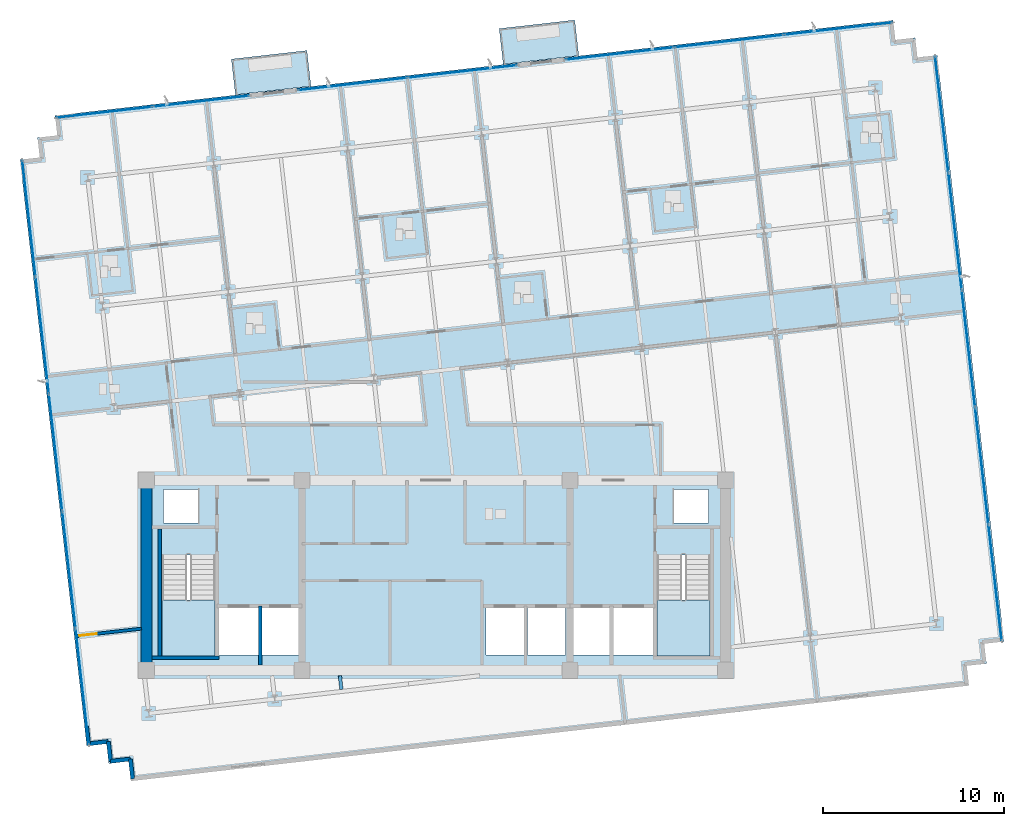
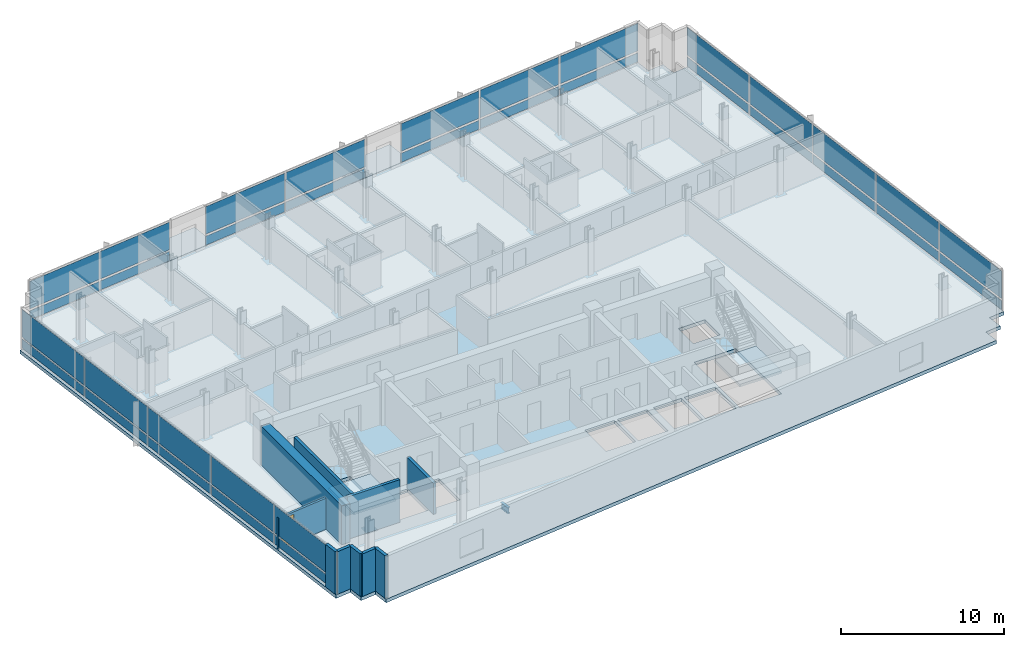
# One storey, part 7 of 17: 34 plates, 10 walls, 5 slabs, 1 beam, 1 door, 1 opening, 7 elements without a shape of their own.
"""IFC4 building model written with IfcOpenShell, lengths in metres."""

import ifcopenshell
import ifcopenshell.guid

model = None  # the IFC model being written
_history = None  # IfcOwnerHistory: only IFC2X3 demands one
_inside = {}  # id of a spatial element -> (the spatial element, [elements in it])
_under = {}  # id of a project, library or spatial element -> (it, [spatial elements below it])
_declared = {}  # id of a project -> (the project, [libraries it declares])
_typed = {}  # id of a type object -> (the type object, [elements of that type])
_made_of = {}  # id of a material, layer set ... -> (it, [elements and type objects made of it])


def new_model(schema):
    """Start an empty IFC model of exactly this schema.

    Asked for "IFC4X3", IfcOpenShell would pick the latest addendum, in which some entities
    have other attributes; the version numbers below select the first issue.
    IFC2X3 requires an IfcOwnerHistory on every rooted entity: one is made here for all.
    """
    global model, _history
    if schema == "IFC4X3":
        model = ifcopenshell.file(schema_version=(4, 3, 0, 0))
    else:
        model = ifcopenshell.file(schema=schema)
    _inside.clear()
    _under.clear()
    _declared.clear()
    _typed.clear()
    _made_of.clear()
    _history = None
    if model.schema == "IFC2X3":
        org = make("IfcOrganization", Name="unknown")
        user = make(
            "IfcPersonAndOrganization",
            ThePerson=make("IfcPerson", FamilyName="unknown"),
            TheOrganization=org,
        )
        app = make(
            "IfcApplication",
            ApplicationDeveloper=org,
            Version="unknown",
            ApplicationFullName="unknown",
            ApplicationIdentifier="unknown",
        )
        _history = make(
            "IfcOwnerHistory",
            OwningUser=user,
            OwningApplication=app,
            ChangeAction="ADDED",
            CreationDate=0,
        )
    return model


def make(cls, **values):
    """One entity of the class cls with the attributes given. An attribute that is None is left unset."""
    return model.create_entity(
        cls, **{name: value for name, value in values.items() if value is not None}
    )


def rooted(cls, **values):
    """An entity with a GlobalId (a new one), such as an element, a storey or a relation."""
    return make(cls, GlobalId=ifcopenshell.guid.new(), OwnerHistory=_history, **values)


def si_unit(unit_type, name, prefix=None):
    """IfcSIUnit, for example si_unit("LENGTHUNIT", "METRE", prefix="MILLI")."""
    return make("IfcSIUnit", UnitType=unit_type, Prefix=prefix, Name=name)


def assignment(units):
    """IfcUnitAssignment: the units of a project."""
    return None if units is None else make("IfcUnitAssignment", Units=units)


def point(xyz):
    """IfcCartesianPoint."""
    return None if xyz is None else make("IfcCartesianPoint", Coordinates=xyz)


def direction(xyz):
    """IfcDirection."""
    return None if xyz is None else make("IfcDirection", DirectionRatios=xyz)


def frame(location, z_axis=None, x_axis=None):
    """IfcAxis2Placement3D, a coordinate frame: its origin and axes. An axis left out is left unset."""
    return make(
        "IfcAxis2Placement3D",
        Location=point(location),
        Axis=direction(z_axis),
        RefDirection=direction(x_axis),
    )


def frame_2d(location, x_axis=None):
    """IfcAxis2Placement2D, a coordinate frame in the plane: its origin and x axis."""
    return make(
        "IfcAxis2Placement2D", Location=point(location), RefDirection=direction(x_axis)
    )


def origin():
    """The frame at (0, 0, 0) with its axes left unset."""
    return frame((0.0, 0.0, 0.0))


def origin_2d():
    """The frame at (0, 0) in the plane with its x axis left unset."""
    return frame_2d((0.0, 0.0))


def place(relative_to, where):
    """IfcLocalPlacement: puts the frame where relative to a parent placement (None: the world)."""
    return make(
        "IfcLocalPlacement", PlacementRelTo=relative_to, RelativePlacement=where
    )


def context(
    kind, dimensions, precision=None, world=None, true_north=None, identifier=None
):
    """IfcGeometricRepresentationContext, for example the 3D "Model" context."""
    return make(
        "IfcGeometricRepresentationContext",
        ContextIdentifier=identifier,
        ContextType=kind,
        CoordinateSpaceDimension=dimensions,
        Precision=precision,
        WorldCoordinateSystem=world,
        TrueNorth=true_north,
    )


def subcontext(parent, identifier, kind, view, scale=None):
    """IfcGeometricRepresentationSubContext, for example "Body" below "Model"."""
    return make(
        "IfcGeometricRepresentationSubContext",
        ContextIdentifier=identifier,
        ContextType=kind,
        ParentContext=parent,
        TargetScale=scale,
        TargetView=view,
    )


def project(units=None, contexts=None):
    """IfcProject with its units and contexts."""
    return rooted(
        "IfcProject",
        Name="project",
        RepresentationContexts=contexts,
        UnitsInContext=assignment(units),
    )


def spatial(cls, under=None, at=None, **own):
    """A site, building, storey or space (cls), placed at a placement, below another one or the project."""
    s = rooted(cls, ObjectPlacement=at, **own)
    if under is not None:
        _under.setdefault(under.id(), (under, []))[1].append(s)
    return s


def polyline(points):
    """IfcPolyline through the points."""
    return make("IfcPolyline", Points=[point(p) for p in points])


def profile(cls, at=None, kind="AREA", **sizes):
    """A parametric profile (cls). Its sizes go by their IFC names, for example OverallWidth=200.0."""
    return make(cls, ProfileType=kind, Position=at, **sizes)


def rectangle(**sizes):
    """IfcRectangleProfileDef."""
    return profile("IfcRectangleProfileDef", **sizes)


def i_section(**sizes):
    """IfcIShapeProfileDef."""
    return profile("IfcIShapeProfileDef", **sizes)


def outline(outer, holes=None, kind="AREA"):
    """IfcArbitraryClosedProfileDef: a profile drawn as a closed curve; with holes, ...WithVoids."""
    if holes is None:
        return make("IfcArbitraryClosedProfileDef", ProfileType=kind, OuterCurve=outer)
    return make(
        "IfcArbitraryProfileDefWithVoids",
        ProfileType=kind,
        OuterCurve=outer,
        InnerCurves=holes,
    )


def extrude(swept, where, along, depth):
    """IfcExtrudedAreaSolid: the profile swept, set in the frame where, extruded along a direction by depth."""
    return make(
        "IfcExtrudedAreaSolid",
        SweptArea=swept,
        Position=where,
        ExtrudedDirection=direction(along),
        Depth=depth,
    )


def shape(context_of_items, identifier, shape_type, items):
    """IfcShapeRepresentation: the items that make up one representation, for example the "Body"."""
    return make(
        "IfcShapeRepresentation",
        ContextOfItems=context_of_items,
        RepresentationIdentifier=identifier,
        RepresentationType=shape_type,
        Items=items,
    )


def material(Name=None, Category=None):
    """IfcMaterial."""
    return make("IfcMaterial", Name=Name, Category=Category)


def layer(
    of_material, thickness, ventilated=None, Name=None, Category=None, Priority=None
):
    """IfcMaterialLayer: one layer of a wall or slab, of a material (None: an air gap)."""
    return make(
        "IfcMaterialLayer",
        Material=of_material,
        LayerThickness=thickness,
        IsVentilated=ventilated,
        Name=Name,
        Category=Category,
        Priority=Priority,
    )


def layer_set(layers, Name=None):
    """IfcMaterialLayerSet."""
    return make("IfcMaterialLayerSet", MaterialLayers=layers, LayerSetName=Name)


def material_profile(
    of_material, cross_section, Name=None, Category=None, Priority=None
):
    """IfcMaterialProfile: a cross section and its material."""
    return make(
        "IfcMaterialProfile",
        Name=Name,
        Material=of_material,
        Profile=cross_section,
        Priority=Priority,
        Category=Category,
    )


def profile_set(profiles, Name=None, composite=None):
    """IfcMaterialProfileSet."""
    return make(
        "IfcMaterialProfileSet",
        Name=Name,
        MaterialProfiles=profiles,
        CompositeProfile=composite,
    )


def made_of(thing, what):
    """Note that an element or type object is made of a material, layer set ...; save() writes the relation."""
    if what is not None:
        _made_of.setdefault(what.id(), (what, []))[1].append(thing)
    return thing


def type_object(cls, material=None, **own):
    """A type object (cls), such as IfcWallType, which elements share."""
    return made_of(rooted(cls, **own), material)


def element(
    cls,
    number,
    at=None,
    inside=None,
    cuts=None,
    type_object=None,
    material=None,
    context=None,
    identifier="Body",
    shape_type=None,
    held_by="IfcProductDefinitionShape",
    body=None,
    shapes=None,
    **own,
):
    """One element of the class cls, such as IfcWall. Its Tag is "e" and its number.

    at: its placement. inside: the storey or other place that contains it. cuts: it is an
    opening in that element (IfcRelVoidsElement). A single representation is given by context,
    identifier, shape_type and body (its items); several are given by shapes. held_by: the class
    of the entity that holds the representations. save() writes the other relations.
    """
    e = rooted(cls, Tag="e%d" % number, ObjectPlacement=at, **own)
    if body is not None:
        shapes = [shape(context, identifier, shape_type, body)]
    if shapes is not None:
        e.Representation = make(held_by, Representations=shapes)
    if inside is not None:
        _inside.setdefault(inside.id(), (inside, []))[1].append(e)
    if cuts is not None:
        rooted(
            "IfcRelVoidsElement", RelatingBuildingElement=cuts, RelatedOpeningElement=e
        )
    if type_object is not None:
        _typed.setdefault(type_object.id(), (type_object, []))[1].append(e)
    return made_of(e, material)


def fill(opening, filler):
    """IfcRelFillsElement: the door or window that sits in an opening."""
    return rooted(
        "IfcRelFillsElement",
        RelatingOpeningElement=opening,
        RelatedBuildingElement=filler,
    )


def aggregate(whole, parts):
    """IfcRelAggregates: a whole, such as a stair, and the parts it consists of."""
    return rooted("IfcRelAggregates", RelatingObject=whole, RelatedObjects=parts)


def save(model, path):
    """Write the relations noted so far, then the file.

    IfcRelAggregates (storeys below a building ...), IfcRelContainedInSpatialStructure (elements
    in a storey), IfcRelDefinesByType, IfcRelAssociatesMaterial and IfcRelDeclares: one each for
    every whole, place, type object, material and project.
    """
    for whole, parts in _under.values():
        aggregate(whole, parts)
    for where, things in _inside.values():
        rooted(
            "IfcRelContainedInSpatialStructure",
            RelatedElements=things,
            RelatingStructure=where,
        )
    for kind, things in _typed.values():
        rooted("IfcRelDefinesByType", RelatedObjects=things, RelatingType=kind)
    for what, things in _made_of.values():
        rooted("IfcRelAssociatesMaterial", RelatedObjects=things, RelatingMaterial=what)
    for by, libraries in _declared.values():
        rooted("IfcRelDeclares", RelatingContext=by, RelatedDefinitions=libraries)
    model.write(path)


model = new_model("IFC4")

# Units and contexts
model_context = context("Model", 3, precision=1e-05, world=origin(), true_north=direction((0.0, 1.0)))
body_context = subcontext(model_context, "Body", "Model", "MODEL_VIEW")
ifc_project = project(units=[si_unit("LENGTHUNIT", "METRE"), si_unit("AREAUNIT", "SQUARE_METRE"), si_unit("VOLUMEUNIT", "CUBIC_METRE"), si_unit("PLANEANGLEUNIT", "RADIAN"), si_unit("MASSUNIT", "GRAM", prefix="KILO")], contexts=[model_context])

# Site, building, storey
site_placement = place(None, origin())
site = spatial("IfcSite", under=ifc_project, at=site_placement, CompositionType="ELEMENT")
building_placement = place(site_placement, origin())
building = spatial("IfcBuilding", under=site, at=building_placement, Name="Solmavex Isthmus Hotel", CompositionType="ELEMENT")
storey_placement = place(building_placement, frame((0.0, 0.0, 198.60009765625)))
storey = spatial("IfcBuildingStorey", under=building, at=storey_placement, Name="L53", CompositionType="ELEMENT", Elevation=198.60009765625)

# Beam
ifc_material_1 = material(Name="Steel ASTM A992 Grade 50", Category="steel")
ifc_material_profile = material_profile(ifc_material_1, i_section(OverallWidth=0.1904296875, OverallDepth=0.456787109375, WebThickness=0.009033203125, FlangeThickness=0.014404296875, FilletRadius=0.0126953125, at=origin_2d()), Name="W18X50")
ifc_profile_set = profile_set([ifc_material_profile], Name="Steel ASTM A992 Grade 50")
beam_type = type_object("IfcBeamType", Name="BM-BJ-W18X50", PredefinedType="JOIST", material=ifc_profile_set)
beam_placement = place(storey_placement, frame((-5.2236328125, -14.05419921875, -0.488525390625), z_axis=(-0.112902470797, 0.993606074905, 0.0), x_axis=(-0.993606074905, -0.112902470797, 0.0)))
element("IfcBeam", 1, at=beam_placement, inside=storey, type_object=beam_type, Name="Secondary Floor Joist L53-J05", PredefinedType="JOIST", context=body_context, shape_type="SweptSolid", body=[
    extrude(i_section(OverallWidth=0.1904296875, OverallDepth=0.456787109375, WebThickness=0.009033203125, FlangeThickness=0.014404296875, FilletRadius=0.0126953125, at=origin_2d()), origin(), (0.0, 0.0, 1.0), 0.759033203125),
])

# Curtain wall, plates
ifc_material_2 = material(Name="Aluminium alloy 6063-T6", Category="aluminium")
curtain_wall_type = type_object("IfcCurtainWallType", Name="CW-SYS-04", PredefinedType="NOTDEFINED", material=ifc_material_2)
curtain_wall_1_placement = place(storey_placement, origin())
curtain_wall_1 = element("IfcCurtainWall", 2, at=curtain_wall_1_placement, inside=storey, type_object=curtain_wall_type, Name="Stick Curtain Wall CWL-L53-N1", PredefinedType="NOTDEFINED")
ifc_material_3 = material(Name="Clear low-E laminated glass", Category="glass")
ifc_layer_1 = layer(ifc_material_3, 0.033935546875)
ifc_layer_set_1 = layer_set([ifc_layer_1], Name="Clear low-E laminated glass")
plate_type = type_object("IfcPlateType", Name="CW-SYS-04-PNL", PredefinedType="CURTAIN_PANEL", material=ifc_layer_set_1)
plate_1_placement = place(storey_placement, frame((-18.322021484375, 17.832763671875, 0.14990234375), z_axis=(0.0, 0.0, 1.0), x_axis=(0.993571901125, 0.113202814871, 0.0)))
plate_1 = element("IfcPlate", 3, at=plate_1_placement, type_object=plate_type, Name="CW-04 panel 1.1", PredefinedType="CURTAIN_PANEL", context=body_context, shape_type="SweptSolid", body=[
    extrude(rectangle(XDim=5.302978515625, YDim=0.033935546875, at=origin_2d()), origin(), (0.0, 0.0, 1.0), 0.675048828125),
])
plate_2_placement = place(storey_placement, frame((-18.322021484375, 17.832763671875, 0.974853515625), z_axis=(0.0, 0.0, 1.0), x_axis=(0.993571901125, 0.113202814871, 0.0)))
plate_2 = element("IfcPlate", 4, at=plate_2_placement, type_object=plate_type, Name="CW-04 panel 1.2", PredefinedType="CURTAIN_PANEL", context=body_context, shape_type="SweptSolid", body=[
    extrude(rectangle(XDim=5.302978515625, YDim=0.033935546875, at=origin_2d()), origin(), (0.0, 0.0, 1.0), 2.06494140625),
])
plate_3_placement = place(storey_placement, frame((-12.978515625, 18.441650390625, 0.14990234375), z_axis=(0.0, 0.0, 1.0), x_axis=(0.993571901125, 0.113202814871, 0.0)))
plate_3 = element("IfcPlate", 5, at=plate_3_placement, type_object=plate_type, Name="CW-04 panel 2.1", PredefinedType="CURTAIN_PANEL", context=body_context, shape_type="SweptSolid", body=[
    extrude(rectangle(XDim=5.302978515625, YDim=0.033935546875, at=origin_2d()), origin(), (0.0, 0.0, 1.0), 0.675048828125),
])
plate_4_placement = place(storey_placement, frame((-12.978515625, 18.441650390625, 0.974853515625), z_axis=(0.0, 0.0, 1.0), x_axis=(0.993571901125, 0.113202814871, 0.0)))
plate_4 = element("IfcPlate", 6, at=plate_4_placement, type_object=plate_type, Name="CW-04 panel 2.2", PredefinedType="CURTAIN_PANEL", context=body_context, shape_type="SweptSolid", body=[
    extrude(rectangle(XDim=5.302978515625, YDim=0.033935546875, at=origin_2d()), origin(), (0.0, 0.0, 1.0), 2.06494140625),
])
aggregate(curtain_wall_1, [plate_1, plate_2, plate_3, plate_4])

curtain_wall_2_placement = place(storey_placement, origin())
curtain_wall_2 = element("IfcCurtainWall", 7, at=curtain_wall_2_placement, inside=storey, type_object=curtain_wall_type, Name="Stick Curtain Wall CWL-L53-N2", PredefinedType="NOTDEFINED")
plate_5_placement = place(storey_placement, frame((-4.6142578125, 19.39453125, 0.14990234375), z_axis=(0.0, 0.0, 1.0), x_axis=(0.993571896348, 0.113202856801, 0.0)))
plate_5 = element("IfcPlate", 8, at=plate_5_placement, type_object=plate_type, Name="CW-04 panel 1.1", PredefinedType="CURTAIN_PANEL", context=body_context, shape_type="SweptSolid", body=[
    extrude(rectangle(XDim=6.033447265625, YDim=0.033935546875, at=origin_2d()), origin(), (0.0, 0.0, 1.0), 0.675048828125),
])
plate_6_placement = place(storey_placement, frame((-4.6142578125, 19.39453125, 0.974853515625), z_axis=(0.0, 0.0, 1.0), x_axis=(0.993571896348, 0.113202856801, 0.0)))
plate_6 = element("IfcPlate", 9, at=plate_6_placement, type_object=plate_type, Name="CW-04 panel 1.2", PredefinedType="CURTAIN_PANEL", context=body_context, shape_type="SweptSolid", body=[
    extrude(rectangle(XDim=6.033447265625, YDim=0.033935546875, at=origin_2d()), origin(), (0.0, 0.0, 1.0), 2.06494140625),
])
plate_7_placement = place(storey_placement, frame((1.454833984375, 20.086181640625, 0.14990234375), z_axis=(0.0, 0.0, 1.0), x_axis=(0.993571896348, 0.113202856801, 0.0)))
plate_7 = element("IfcPlate", 10, at=plate_7_placement, type_object=plate_type, Name="CW-04 panel 2.1", PredefinedType="CURTAIN_PANEL", context=body_context, shape_type="SweptSolid", body=[
    extrude(rectangle(XDim=6.033447265625, YDim=0.033935546875, at=origin_2d()), origin(), (0.0, 0.0, 1.0), 0.675048828125),
])
plate_8_placement = place(storey_placement, frame((1.454833984375, 20.086181640625, 0.974853515625), z_axis=(0.0, 0.0, 1.0), x_axis=(0.993571896348, 0.113202856801, 0.0)))
plate_8 = element("IfcPlate", 11, at=plate_8_placement, type_object=plate_type, Name="CW-04 panel 2.2", PredefinedType="CURTAIN_PANEL", context=body_context, shape_type="SweptSolid", body=[
    extrude(rectangle(XDim=6.033447265625, YDim=0.033935546875, at=origin_2d()), origin(), (0.0, 0.0, 1.0), 2.06494140625),
])
aggregate(curtain_wall_2, [plate_5, plate_6, plate_7, plate_8])

curtain_wall_3_placement = place(storey_placement, origin())
curtain_wall_3 = element("IfcCurtainWall", 12, at=curtain_wall_3_placement, inside=storey, type_object=curtain_wall_type, Name="Stick Curtain Wall CWL-L53-N3", PredefinedType="NOTDEFINED")
plate_9_placement = place(storey_placement, frame((10.1552734375, 21.077392578125, 0.14990234375), z_axis=(0.0, 0.0, 1.0), x_axis=(0.99357182379, 0.113203493636, 0.0)))
plate_9 = element("IfcPlate", 13, at=plate_9_placement, type_object=plate_type, Name="CW-04 panel 1.1", PredefinedType="CURTAIN_PANEL", context=body_context, shape_type="SweptSolid", body=[
    extrude(rectangle(XDim=5.979736328125, YDim=0.033935546875, at=origin_2d()), origin(), (0.0, 0.0, 1.0), 0.675048828125),
])
plate_10_placement = place(storey_placement, frame((10.1552734375, 21.077392578125, 0.974853515625), z_axis=(0.0, 0.0, 1.0), x_axis=(0.99357182379, 0.113203493636, 0.0)))
plate_10 = element("IfcPlate", 14, at=plate_10_placement, type_object=plate_type, Name="CW-04 panel 1.2", PredefinedType="CURTAIN_PANEL", context=body_context, shape_type="SweptSolid", body=[
    extrude(rectangle(XDim=5.979736328125, YDim=0.033935546875, at=origin_2d()), origin(), (0.0, 0.0, 1.0), 2.06494140625),
])
plate_11_placement = place(storey_placement, frame((16.189697265625, 21.764892578125, 0.14990234375), z_axis=(0.0, 0.0, 1.0), x_axis=(0.99357182379, 0.113203493636, 0.0)))
plate_11 = element("IfcPlate", 15, at=plate_11_placement, type_object=plate_type, Name="CW-04 panel 2.1", PredefinedType="CURTAIN_PANEL", context=body_context, shape_type="SweptSolid", body=[
    extrude(rectangle(XDim=6.017333984375, YDim=0.033935546875, at=origin_2d()), origin(), (0.0, 0.0, 1.0), 0.675048828125),
])
plate_12_placement = place(storey_placement, frame((16.189697265625, 21.764892578125, 0.974853515625), z_axis=(0.0, 0.0, 1.0), x_axis=(0.99357182379, 0.113203493636, 0.0)))
plate_12 = element("IfcPlate", 16, at=plate_12_placement, type_object=plate_type, Name="CW-04 panel 2.2", PredefinedType="CURTAIN_PANEL", context=body_context, shape_type="SweptSolid", body=[
    extrude(rectangle(XDim=6.017333984375, YDim=0.033935546875, at=origin_2d()), origin(), (0.0, 0.0, 1.0), 2.06494140625),
])
plate_13_placement = place(storey_placement, frame((22.224365234375, 22.45263671875, 0.14990234375), z_axis=(0.0, 0.0, 1.0), x_axis=(0.99357182379, 0.113203493636, 0.0)))
plate_13 = element("IfcPlate", 17, at=plate_13_placement, type_object=plate_type, Name="CW-04 panel 3.1", PredefinedType="CURTAIN_PANEL", context=body_context, shape_type="SweptSolid", body=[
    extrude(rectangle(XDim=5.979736328125, YDim=0.033935546875, at=origin_2d()), origin(), (0.0, 0.0, 1.0), 0.675048828125),
])
plate_14_placement = place(storey_placement, frame((22.224365234375, 22.45263671875, 0.974853515625), z_axis=(0.0, 0.0, 1.0), x_axis=(0.99357182379, 0.113203493636, 0.0)))
plate_14 = element("IfcPlate", 18, at=plate_14_placement, type_object=plate_type, Name="CW-04 panel 3.2", PredefinedType="CURTAIN_PANEL", context=body_context, shape_type="SweptSolid", body=[
    extrude(rectangle(XDim=5.979736328125, YDim=0.033935546875, at=origin_2d()), origin(), (0.0, 0.0, 1.0), 2.06494140625),
])
aggregate(curtain_wall_3, [plate_9, plate_10, plate_11, plate_12, plate_13, plate_14])

curtain_wall_4_placement = place(storey_placement, origin())
curtain_wall_4 = element("IfcCurtainWall", 19, at=curtain_wall_4_placement, inside=storey, type_object=curtain_wall_type, Name="Stick Curtain Wall CWL-L53-W1", PredefinedType="NOTDEFINED")
plate_15_placement = place(storey_placement, frame((-19.542724609375, -13.91064453125, 0.14990234375), z_axis=(0.0, 0.0, 1.0), x_axis=(-0.11320338078, 0.993571836648, 0.0)))
plate_15 = element("IfcPlate", 20, at=plate_15_placement, type_object=plate_type, Name="CW-04 panel 1.1", PredefinedType="CURTAIN_PANEL", context=body_context, shape_type="SweptSolid", body=[
    extrude(rectangle(XDim=6.407470703125, YDim=0.033935546875, at=origin_2d()), origin(), (0.0, 0.0, 1.0), 0.675048828125),
])
plate_16_placement = place(storey_placement, frame((-19.542724609375, -13.91064453125, 0.974853515625), z_axis=(0.0, 0.0, 1.0), x_axis=(-0.11320338078, 0.993571836648, 0.0)))
plate_16 = element("IfcPlate", 21, at=plate_16_placement, type_object=plate_type, Name="CW-04 panel 1.2", PredefinedType="CURTAIN_PANEL", context=body_context, shape_type="SweptSolid", body=[
    extrude(rectangle(XDim=6.407470703125, YDim=0.033935546875, at=origin_2d()), origin(), (0.0, 0.0, 1.0), 2.06494140625),
])
plate_17_placement = place(storey_placement, frame((-20.27880859375, -7.451171875, 0.14990234375), z_axis=(0.0, 0.0, 1.0), x_axis=(-0.11320338078, 0.993571836648, 0.0)))
plate_17 = element("IfcPlate", 22, at=plate_17_placement, type_object=plate_type, Name="CW-04 panel 2.1", PredefinedType="CURTAIN_PANEL", context=body_context, shape_type="SweptSolid", body=[
    extrude(rectangle(XDim=6.445068359375, YDim=0.033935546875, at=origin_2d()), origin(), (0.0, 0.0, 1.0), 0.675048828125),
])
plate_18_placement = place(storey_placement, frame((-20.27880859375, -7.451171875, 0.974853515625), z_axis=(0.0, 0.0, 1.0), x_axis=(-0.11320338078, 0.993571836648, 0.0)))
plate_18 = element("IfcPlate", 23, at=plate_18_placement, type_object=plate_type, Name="CW-04 panel 2.2", PredefinedType="CURTAIN_PANEL", context=body_context, shape_type="SweptSolid", body=[
    extrude(rectangle(XDim=6.445068359375, YDim=0.033935546875, at=origin_2d()), origin(), (0.0, 0.0, 1.0), 2.06494140625),
])
plate_19_placement = place(storey_placement, frame((-21.016845703125, -0.97314453125, 0.14990234375), z_axis=(0.0, 0.0, 1.0), x_axis=(-0.11320338078, 0.993571836648, 0.0)))
plate_19 = element("IfcPlate", 24, at=plate_19_placement, type_object=plate_type, Name="CW-04 panel 3.1", PredefinedType="CURTAIN_PANEL", context=body_context, shape_type="SweptSolid", body=[
    extrude(rectangle(XDim=6.445068359375, YDim=0.033935546875, at=origin_2d()), origin(), (0.0, 0.0, 1.0), 0.675048828125),
])
plate_20_placement = place(storey_placement, frame((-21.016845703125, -0.97314453125, 0.974853515625), z_axis=(0.0, 0.0, 1.0), x_axis=(-0.11320338078, 0.993571836648, 0.0)))
plate_20 = element("IfcPlate", 25, at=plate_20_placement, type_object=plate_type, Name="CW-04 panel 3.2", PredefinedType="CURTAIN_PANEL", context=body_context, shape_type="SweptSolid", body=[
    extrude(rectangle(XDim=6.445068359375, YDim=0.033935546875, at=origin_2d()), origin(), (0.0, 0.0, 1.0), 2.06494140625),
])
plate_21_placement = place(storey_placement, frame((-21.7548828125, 5.5048828125, 0.14990234375), z_axis=(0.0, 0.0, 1.0), x_axis=(-0.11320338078, 0.993571836648, 0.0)))
plate_21 = element("IfcPlate", 26, at=plate_21_placement, type_object=plate_type, Name="CW-04 panel 4.1", PredefinedType="CURTAIN_PANEL", context=body_context, shape_type="SweptSolid", body=[
    extrude(rectangle(XDim=6.445068359375, YDim=0.033935546875, at=origin_2d()), origin(), (0.0, 0.0, 1.0), 0.675048828125),
])
plate_22_placement = place(storey_placement, frame((-21.7548828125, 5.5048828125, 0.974853515625), z_axis=(0.0, 0.0, 1.0), x_axis=(-0.11320338078, 0.993571836648, 0.0)))
plate_22 = element("IfcPlate", 27, at=plate_22_placement, type_object=plate_type, Name="CW-04 panel 4.2", PredefinedType="CURTAIN_PANEL", context=body_context, shape_type="SweptSolid", body=[
    extrude(rectangle(XDim=6.445068359375, YDim=0.033935546875, at=origin_2d()), origin(), (0.0, 0.0, 1.0), 2.06494140625),
])
plate_23_placement = place(storey_placement, frame((-22.490966796875, 11.96435546875, 0.14990234375), z_axis=(0.0, 0.0, 1.0), x_axis=(-0.11320338078, 0.993571836648, 0.0)))
plate_23 = element("IfcPlate", 28, at=plate_23_placement, type_object=plate_type, Name="CW-04 panel 5.1", PredefinedType="CURTAIN_PANEL", context=body_context, shape_type="SweptSolid", body=[
    extrude(rectangle(XDim=6.407470703125, YDim=0.033935546875, at=origin_2d()), origin(), (0.0, 0.0, 1.0), 0.675048828125),
])
plate_24_placement = place(storey_placement, frame((-22.490966796875, 11.96435546875, 0.974853515625), z_axis=(0.0, 0.0, 1.0), x_axis=(-0.11320338078, 0.993571836648, 0.0)))
plate_24 = element("IfcPlate", 29, at=plate_24_placement, type_object=plate_type, Name="CW-04 panel 5.2", PredefinedType="CURTAIN_PANEL", context=body_context, shape_type="SweptSolid", body=[
    extrude(rectangle(XDim=6.407470703125, YDim=0.033935546875, at=origin_2d()), origin(), (0.0, 0.0, 1.0), 2.06494140625),
])
aggregate(curtain_wall_4, [plate_15, plate_16, plate_17, plate_18, plate_19, plate_20, plate_21, plate_22, plate_23, plate_24])

curtain_wall_5_placement = place(storey_placement, origin())
curtain_wall_5 = element("IfcCurtainWall", 30, at=curtain_wall_5_placement, inside=storey, type_object=curtain_wall_type, Name="Stick Curtain Wall CWL-L53-E1", PredefinedType="NOTDEFINED")
plate_25_placement = place(storey_placement, frame((30.890869140625, -8.16455078125, 0.14990234375), z_axis=(0.0, 0.0, 1.0), x_axis=(-0.11320338078, 0.993571836648, 0.0)))
plate_25 = element("IfcPlate", 31, at=plate_25_placement, type_object=plate_type, Name="CW-04 panel 1.1", PredefinedType="CURTAIN_PANEL", context=body_context, shape_type="SweptSolid", body=[
    extrude(rectangle(XDim=6.407470703125, YDim=0.033935546875, at=origin_2d()), origin(), (0.0, 0.0, 1.0), 0.675048828125),
])
plate_26_placement = place(storey_placement, frame((30.890869140625, -8.16455078125, 0.974853515625), z_axis=(0.0, 0.0, 1.0), x_axis=(-0.11320338078, 0.993571836648, 0.0)))
plate_26 = element("IfcPlate", 32, at=plate_26_placement, type_object=plate_type, Name="CW-04 panel 1.2", PredefinedType="CURTAIN_PANEL", context=body_context, shape_type="SweptSolid", body=[
    extrude(rectangle(XDim=6.407470703125, YDim=0.033935546875, at=origin_2d()), origin(), (0.0, 0.0, 1.0), 2.06494140625),
])
plate_27_placement = place(storey_placement, frame((30.155029296875, -1.705078125, 0.14990234375), z_axis=(0.0, 0.0, 1.0), x_axis=(-0.11320338078, 0.993571836648, 0.0)))
plate_27 = element("IfcPlate", 33, at=plate_27_placement, type_object=plate_type, Name="CW-04 panel 2.1", PredefinedType="CURTAIN_PANEL", context=body_context, shape_type="SweptSolid", body=[
    extrude(rectangle(XDim=6.445068359375, YDim=0.033935546875, at=origin_2d()), origin(), (0.0, 0.0, 1.0), 0.675048828125),
])
plate_28_placement = place(storey_placement, frame((30.155029296875, -1.705078125, 0.974853515625), z_axis=(0.0, 0.0, 1.0), x_axis=(-0.11320338078, 0.993571836648, 0.0)))
plate_28 = element("IfcPlate", 34, at=plate_28_placement, type_object=plate_type, Name="CW-04 panel 2.2", PredefinedType="CURTAIN_PANEL", context=body_context, shape_type="SweptSolid", body=[
    extrude(rectangle(XDim=6.445068359375, YDim=0.033935546875, at=origin_2d()), origin(), (0.0, 0.0, 1.0), 2.06494140625),
])
plate_29_placement = place(storey_placement, frame((29.416748046875, 4.773193359375, 0.14990234375), z_axis=(0.0, 0.0, 1.0), x_axis=(-0.11320338078, 0.993571836648, 0.0)))
plate_29 = element("IfcPlate", 35, at=plate_29_placement, type_object=plate_type, Name="CW-04 panel 3.1", PredefinedType="CURTAIN_PANEL", context=body_context, shape_type="SweptSolid", body=[
    extrude(rectangle(XDim=6.445068359375, YDim=0.033935546875, at=origin_2d()), origin(), (0.0, 0.0, 1.0), 0.675048828125),
])
plate_30_placement = place(storey_placement, frame((29.416748046875, 4.773193359375, 0.974853515625), z_axis=(0.0, 0.0, 1.0), x_axis=(-0.11320338078, 0.993571836648, 0.0)))
plate_30 = element("IfcPlate", 36, at=plate_30_placement, type_object=plate_type, Name="CW-04 panel 3.2", PredefinedType="CURTAIN_PANEL", context=body_context, shape_type="SweptSolid", body=[
    extrude(rectangle(XDim=6.445068359375, YDim=0.033935546875, at=origin_2d()), origin(), (0.0, 0.0, 1.0), 2.06494140625),
])
plate_31_placement = place(storey_placement, frame((28.6787109375, 11.251220703125, 0.14990234375), z_axis=(0.0, 0.0, 1.0), x_axis=(-0.11320338078, 0.993571836648, 0.0)))
plate_31 = element("IfcPlate", 37, at=plate_31_placement, type_object=plate_type, Name="CW-04 panel 4.1", PredefinedType="CURTAIN_PANEL", context=body_context, shape_type="SweptSolid", body=[
    extrude(rectangle(XDim=6.445068359375, YDim=0.033935546875, at=origin_2d()), origin(), (0.0, 0.0, 1.0), 0.675048828125),
])
plate_32_placement = place(storey_placement, frame((28.6787109375, 11.251220703125, 0.974853515625), z_axis=(0.0, 0.0, 1.0), x_axis=(-0.11320338078, 0.993571836648, 0.0)))
plate_32 = element("IfcPlate", 38, at=plate_32_placement, type_object=plate_type, Name="CW-04 panel 4.2", PredefinedType="CURTAIN_PANEL", context=body_context, shape_type="SweptSolid", body=[
    extrude(rectangle(XDim=6.445068359375, YDim=0.033935546875, at=origin_2d()), origin(), (0.0, 0.0, 1.0), 2.06494140625),
])
plate_33_placement = place(storey_placement, frame((27.94287109375, 17.710693359375, 0.14990234375), z_axis=(0.0, 0.0, 1.0), x_axis=(-0.11320338078, 0.993571836648, 0.0)))
plate_33 = element("IfcPlate", 39, at=plate_33_placement, type_object=plate_type, Name="CW-04 panel 5.1", PredefinedType="CURTAIN_PANEL", context=body_context, shape_type="SweptSolid", body=[
    extrude(rectangle(XDim=6.407470703125, YDim=0.033935546875, at=origin_2d()), origin(), (0.0, 0.0, 1.0), 0.675048828125),
])
plate_34_placement = place(storey_placement, frame((27.94287109375, 17.710693359375, 0.974853515625), z_axis=(0.0, 0.0, 1.0), x_axis=(-0.11320338078, 0.993571836648, 0.0)))
plate_34 = element("IfcPlate", 40, at=plate_34_placement, type_object=plate_type, Name="CW-04 panel 5.2", PredefinedType="CURTAIN_PANEL", context=body_context, shape_type="SweptSolid", body=[
    extrude(rectangle(XDim=6.407470703125, YDim=0.033935546875, at=origin_2d()), origin(), (0.0, 0.0, 1.0), 2.06494140625),
])
aggregate(curtain_wall_5, [plate_25, plate_26, plate_27, plate_28, plate_29, plate_30, plate_31, plate_32, plate_33, plate_34])

# Slabs
ifc_material_4 = material(Name="Concrete C40/50", Category="concrete")
ifc_layer_2 = layer(ifc_material_4, 0.239990234375)
ifc_layer_set_2 = layer_set([ifc_layer_2], Name="Concrete C40/50")
slab_type_1 = type_object("IfcSlabType", Name="SLAB-BALC-240", PredefinedType="FLOOR", material=ifc_layer_set_2)
slab_1_placement = place(storey_placement, frame((0.0, 0.0, -0.239990234375)))
element("IfcSlab", 41, at=slab_1_placement, inside=storey, type_object=slab_type_1, Name="Tree-Planter Balcony Slab L53-B1", PredefinedType="FLOOR", context=body_context, shape_type="SweptSolid", body=[
    extrude(outline(polyline([(-11.07958984375, 18.7939453125), (-6.90673828125, 19.269287109375), (-7.13134765625, 21.24169921875), (-11.304443359375, 20.76611328125), (-11.07958984375, 18.7939453125)])), origin(), (0.0, 0.0, 1.0), 0.239990234375),
])
slab_2_placement = place(storey_placement, frame((0.0, 0.0, -0.239990234375)))
element("IfcSlab", 42, at=slab_2_placement, inside=storey, type_object=slab_type_1, Name="Tree-Planter Balcony Slab L53-B2", PredefinedType="FLOOR", context=body_context, shape_type="SweptSolid", body=[
    extrude(outline(polyline([(3.716552734375, 20.479736328125), (7.8896484375, 20.955078125), (7.664794921875, 22.927490234375), (3.491943359375, 22.451904296875), (3.716552734375, 20.479736328125)])), origin(), (0.0, 0.0, 1.0), 0.239990234375),
])
ifc_layer_3 = layer(ifc_material_4, 0.260009765625)
ifc_layer_set_3 = layer_set([ifc_layer_3], Name="Concrete C40/50")
slab_type_2 = type_object("IfcSlabType", Name="SLAB-TYP-260", PredefinedType="FLOOR", material=ifc_layer_set_3)
slab_3_placement = place(storey_placement, frame((0.0, 0.0, -0.260009765625)))
element("IfcSlab", 43, at=slab_3_placement, inside=storey, type_object=slab_type_2, Name="Tower Structural Floor Slab L53", PredefinedType="FLOOR", context=body_context, shape_type="SweptSolid", body=[
    extrude(outline(polyline([(-15.762939453125, -18.994140625), (28.3515625, -13.968017578125), (29.444580078125, -13.843505859375), (29.320068359375, -12.75048828125), (30.412841796875, -12.6259765625), (30.288330078125, -11.532958984375), (31.38134765625, -11.408447265625), (31.2568359375, -10.315673828125), (27.8154296875, 19.888916015625), (27.69091796875, 20.98193359375), (26.597900390625, 20.857421875), (26.473388671875, 21.9501953125), (25.38037109375, 21.82568359375), (25.255859375, 22.918701171875), (24.1630859375, 22.794189453125), (-19.95166015625, 17.76806640625), (-21.04443359375, 17.6435546875), (-20.919921875, 16.550537109375), (-22.012939453125, 16.426025390625), (-21.888427734375, 15.3330078125), (-22.981201171875, 15.20849609375), (-22.856689453125, 14.11572265625), (-19.415283203125, -16.0888671875), (-19.290771484375, -17.181884765625), (-18.197998046875, -17.057373046875), (-18.073486328125, -18.150390625), (-16.98046875, -18.02587890625), (-16.85595703125, -19.11865234375), (-15.762939453125, -18.994140625)]), holes=[polyline([(-15.14990234375, -6.617919921875), (-15.14990234375, -12.199951171875), (-12.199951171875, -12.199951171875), (-12.199951171875, -6.617919921875), (-15.14990234375, -6.617919921875)]), polyline([(12.199951171875, -6.617919921875), (12.199951171875, -12.199951171875), (15.14990234375, -12.199951171875), (15.14990234375, -6.617919921875), (12.199951171875, -6.617919921875)]), polyline([(-12.0, -12.14990234375), (-9.800048828125, -12.14990234375), (-9.800048828125, -9.550048828125), (-12.0, -9.550048828125), (-12.0, -12.14990234375)]), polyline([(9.800048828125, -12.14990234375), (12.0, -12.14990234375), (12.0, -9.550048828125), (9.800048828125, -9.550048828125), (9.800048828125, -12.14990234375)]), polyline([(-9.60009765625, -12.14990234375), (-7.60009765625, -12.14990234375), (-7.60009765625, -9.550048828125), (-9.60009765625, -9.550048828125), (-9.60009765625, -12.14990234375)]), polyline([(7.60009765625, -12.14990234375), (9.60009765625, -12.14990234375), (9.60009765625, -9.550048828125), (7.60009765625, -9.550048828125), (7.60009765625, -12.14990234375)]), polyline([(2.75, -12.14990234375), (4.85009765625, -12.14990234375), (4.85009765625, -9.550048828125), (2.75, -9.550048828125), (2.75, -12.14990234375)]), polyline([(5.050048828125, -12.14990234375), (7.14990234375, -12.14990234375), (7.14990234375, -9.550048828125), (5.050048828125, -9.550048828125), (5.050048828125, -12.14990234375)]), polyline([(-15.050048828125, -4.85009765625), (-13.14990234375, -4.85009765625), (-13.14990234375, -3.0), (-15.050048828125, -3.0), (-15.050048828125, -4.85009765625)]), polyline([(13.14990234375, -4.85009765625), (15.050048828125, -4.85009765625), (15.050048828125, -3.0), (13.14990234375, -3.0), (13.14990234375, -4.85009765625)])]), origin(), (0.0, 0.0, 1.0), 0.260009765625),
])

# Stair, slab
stair_type_1 = type_object("IfcStairType", Name="STR-ST-1", PredefinedType="HALF_TURN_STAIR", material=ifc_material_4)
stair_1_placement = place(storey_placement, origin())
stair_1 = element("IfcStair", 44, at=stair_1_placement, inside=storey, type_object=stair_type_1, Name="L53 Protected Exit Stair ST-1", PredefinedType="HALF_TURN_STAIR")
ifc_layer_4 = layer(ifc_material_4, 0.219970703125)
ifc_layer_set_4 = layer_set([ifc_layer_4], Name="Concrete C40/50")
slab_type_3 = type_object("IfcSlabType", Name="SLD-ST-1", PredefinedType="LANDING", material=ifc_layer_set_4)
slab_4_placement = place(storey_placement, frame((0.0, 0.0, 1.52490234375)))
slab_4 = element("IfcSlab", 45, at=slab_4_placement, type_object=slab_type_3, Name="ST-1 landing 1", PredefinedType="LANDING", context=body_context, shape_type="SweptSolid", body=[
    extrude(outline(polyline([(-15.14990234375, -9.1201171875), (-15.14990234375, -12.199951171875), (-12.199951171875, -12.199951171875), (-12.199951171875, -9.1201171875), (-15.14990234375, -9.1201171875)])), origin(), (0.0, 0.0, 1.0), 0.199951171875),
])
aggregate(stair_1, [slab_4])

stair_type_2 = type_object("IfcStairType", Name="STR-ST-2", PredefinedType="HALF_TURN_STAIR", material=ifc_material_4)
stair_2_placement = place(storey_placement, origin())
stair_2 = element("IfcStair", 46, at=stair_2_placement, inside=storey, type_object=stair_type_2, Name="L53 Protected Exit Stair ST-2", PredefinedType="HALF_TURN_STAIR")
ifc_layer_5 = layer(ifc_material_4, 0.219970703125)
ifc_layer_set_5 = layer_set([ifc_layer_5], Name="Concrete C40/50")
slab_type_4 = type_object("IfcSlabType", Name="SLD-ST-2", PredefinedType="LANDING", material=ifc_layer_set_5)
slab_5_placement = place(storey_placement, frame((0.0, 0.0, 1.52490234375)))
slab_5 = element("IfcSlab", 47, at=slab_5_placement, type_object=slab_type_4, Name="ST-2 landing 1", PredefinedType="LANDING", context=body_context, shape_type="SweptSolid", body=[
    extrude(outline(polyline([(12.199951171875, -9.1201171875), (12.199951171875, -12.199951171875), (15.14990234375, -12.199951171875), (15.14990234375, -9.1201171875), (12.199951171875, -9.1201171875)])), origin(), (0.0, 0.0, 1.0), 0.199951171875),
])
aggregate(stair_2, [slab_5])

# Walls
ifc_material_5 = material(Name="Precast Concrete C40/50", Category="concrete")
ifc_layer_6 = layer(ifc_material_5, 0.25)
ifc_layer_set_6 = layer_set([ifc_layer_6], Name="Precast Concrete C40/50")
wall_type_1 = type_object("IfcWallType", Name="EW-TWR-250", PredefinedType="STANDARD", material=ifc_layer_set_6)
for number, where, z_axis, x_axis, name in (
    (48, (-16.759033203125, -18.9970703125, 0.0), (0.0, 0.0, 1.0), (-0.113183557839, 0.99357409499, 0.0), "Serrated Corner Facade Panel L53-01"),
    (49, (-16.883544921875, -17.904052734375, 0.0), (0.0, 0.0, 1.0), (-0.99357409499, -0.113183557839, 0.0), "Serrated Corner Facade Panel L53-02"),
    (50, (-17.9765625, -18.028564453125, 0.0), (0.0, 0.0, 1.0), (-0.113183557839, 0.99357409499, 0.0), "Serrated Corner Facade Panel L53-03"),
    (51, (-18.10107421875, -16.935546875, 0.0), (0.0, 0.0, 1.0), (-0.99357409499, -0.113183557839, 0.0), "Serrated Corner Facade Panel L53-04"),
):
    element("IfcWall", number, at=place(storey_placement, frame(where, z_axis=z_axis, x_axis=x_axis)), inside=storey, type_object=wall_type_1, Name=name, PredefinedType="STANDARD", context=body_context, shape_type="SweptSolid", body=[
        extrude(rectangle(XDim=1.10009765625, YDim=0.219970703125, at=frame_2d((0.550048828125, 0.0))), origin(), (0.0, 0.0, 1.0), 3.18994140625),
    ])
wall_1_placement = place(storey_placement, frame((-19.194091796875, -17.06005859375, 0.0), z_axis=(0.0, 0.0, 1.0), x_axis=(-0.113191877531, 0.993573147212, 0.0)))
element("IfcWall", 52, at=wall_1_placement, inside=storey, type_object=wall_type_1, Name="Serrated Corner Facade Panel L53-05", PredefinedType="STANDARD", context=body_context, shape_type="SweptSolid", body=[
    extrude(rectangle(XDim=0.989990234375, YDim=0.219970703125, at=frame_2d((0.4951171875, 0.0))), origin(), (0.0, 0.0, 1.0), 3.18994140625),
])

# Wall, opening, door
ifc_material_6 = material(Name="Gypsum plasterboard lining", Category="gypsum")
ifc_layer_7 = layer(ifc_material_6, 0.159912109375)
ifc_layer_set_7 = layer_set([ifc_layer_7], Name="Gypsum plasterboard lining")
wall_type_2 = type_object("IfcWallType", Name="IW-COMP-160", PredefinedType="PARTITIONING", material=ifc_layer_set_7)
wall_2_placement = place(storey_placement, frame((-16.26025390625, -10.697021484375, 0.0), z_axis=(0.0, 0.0, 1.0), x_axis=(-0.993567835793, -0.113238490269, 0.0)))
wall_2 = element("IfcWall", 53, at=wall_2_placement, inside=storey, type_object=wall_type_2, Name="Interior Partition Wall W-L53-P084", PredefinedType="PARTITIONING", context=body_context, shape_type="SweptSolid", body=[
    extrude(rectangle(XDim=3.665283203125, YDim=0.159912109375, at=frame_2d((1.83251953125, 0.0))), origin(), (0.0, 0.0, 1.0), 2.324951171875),
])
opening_placement = place(wall_2_placement, frame((2.505126953125, 0.0, 0.0)))
opening = element("IfcOpeningElement", 54, at=opening_placement, cuts=wall_2, Name="Opening ID-C095", PredefinedType="OPENING", context=body_context, shape_type="SweptSolid", body=[
    extrude(rectangle(XDim=0.949951171875, YDim=2.14990234375, at=frame_2d((0.47509765625, 1.074951171875))), frame((0.0, 0.08984375, 0.0), z_axis=(0.0, -1.0, 0.0), x_axis=(1.0, 0.0, 0.0)), (0.0, 0.0, 1.0), 0.179931640625),
])
ifc_material_7 = material(Name="Hardwood timber", Category="wood")
door_type = type_object("IfcDoorType", Name="IDR-FD60-0950", OperationType="NOTDEFINED", PredefinedType="DOOR", material=ifc_material_7)
door_placement = place(opening_placement, frame((0.949951171875, 0.0, 0.0), z_axis=(0.0, 0.0, 1.0), x_axis=(-1.0, 0.0, 0.0)))
door = element("IfcDoor", 55, at=door_placement, inside=storey, type_object=door_type, Name="Corporate Briefing Office Door L53-25", OperationType="SINGLE_SWING_LEFT", OverallHeight=2.14990234375, OverallWidth=0.949951171875, PredefinedType="DOOR", context=body_context, shape_type="SweptSolid", body=[
    extrude(rectangle(XDim=0.949951171875, YDim=2.14990234375, at=frame_2d((0.47509765625, 1.074951171875))), frame((0.0, 0.02490234375, 0.0), z_axis=(0.0, -1.0, 0.0), x_axis=(1.0, 0.0, 0.0)), (0.0, 0.0, 1.0), 0.050048828125),
])
fill(opening, door)

# Walls
ifc_layer_8 = layer(ifc_material_4, 0.199951171875)
ifc_layer_set_8 = layer_set([ifc_layer_8], Name="Concrete C40/50")
wall_type_3 = type_object("IfcWallType", Name="IW-SHAFT-200", PredefinedType="PARTITIONING", material=ifc_layer_set_8)
wall_3_placement = place(storey_placement, frame((-9.699951171875, -12.699951171875, 0.0), z_axis=(0.0, 0.0, 1.0), x_axis=(0.0, 1.0, 0.0)))
element("IfcWall", 56, at=wall_3_placement, inside=storey, type_object=wall_type_3, Name="Interior Partition Wall W-L53-FFLW-M", PredefinedType="PARTITIONING", context=body_context, shape_type="SweptSolid", body=[
    extrude(rectangle(XDim=3.25, YDim=0.199951171875, at=frame_2d((1.625, 0.0))), origin(), (0.0, 0.0, 1.0), 2.324951171875),
])
ifc_material_8 = material(Name="Concrete C50/60", Category="concrete")
ifc_layer_9 = layer(ifc_material_8, 0.60009765625)
ifc_layer_set_9 = layer_set([ifc_layer_9], Name="Concrete C50/60")
wall_type_4 = type_object("IfcWallType", Name="WALL-CW-600", PredefinedType="SHEAR", material=ifc_layer_set_9)
wall_4_placement = place(storey_placement, frame((-16.0, -12.699951171875, 0.0), z_axis=(0.0, 0.0, 1.0), x_axis=(0.0, 1.0, 0.0)))
element("IfcWall", 57, at=wall_4_placement, inside=storey, type_object=wall_type_4, Name="Core Shear Wall West L53", PredefinedType="SHEAR", context=body_context, shape_type="SweptSolid", body=[
    extrude(rectangle(XDim=9.89990234375, YDim=0.60009765625, at=frame_2d((4.949951171875, 0.0))), origin(), (0.0, 0.0, 1.0), 2.909912109375),
])
ifc_layer_10 = layer(ifc_material_4, 0.199951171875)
ifc_layer_set_10 = layer_set([ifc_layer_10], Name="Concrete C40/50")
wall_type_5 = type_object("IfcWallType", Name="WALL-SW-200", PredefinedType="SOLIDWALL", material=ifc_layer_set_10)
wall_5_placement = place(storey_placement, frame((-15.699951171875, -12.300048828125, 0.0), z_axis=(0.0, 0.0, 1.0), x_axis=(1.0, 0.0, 0.0)))
element("IfcWall", 58, at=wall_5_placement, inside=storey, type_object=wall_type_5, Name="Stairwell Structural Wall SW-L53-ST1-S", PredefinedType="SOLIDWALL", context=body_context, shape_type="SweptSolid", body=[
    extrude(rectangle(XDim=3.699951171875, YDim=0.199951171875, at=frame_2d((1.85009765625, 0.0))), origin(), (0.0, 0.0, 1.0), 3.18994140625),
])
wall_6_placement = place(storey_placement, frame((-15.25, -12.199951171875, 0.0), z_axis=(0.0, 0.0, 1.0), x_axis=(0.0, 1.0, 0.0)))
element("IfcWall", 59, at=wall_6_placement, inside=storey, type_object=wall_type_5, Name="Stairwell Structural Wall SW-L53-ST1-W", PredefinedType="SOLIDWALL", context=body_context, shape_type="SweptSolid", body=[
    extrude(rectangle(XDim=7.0, YDim=0.199951171875, at=frame_2d((3.5, 0.0))), origin(), (0.0, 0.0, 1.0), 3.18994140625),
])

save(model, "model.ifc")
